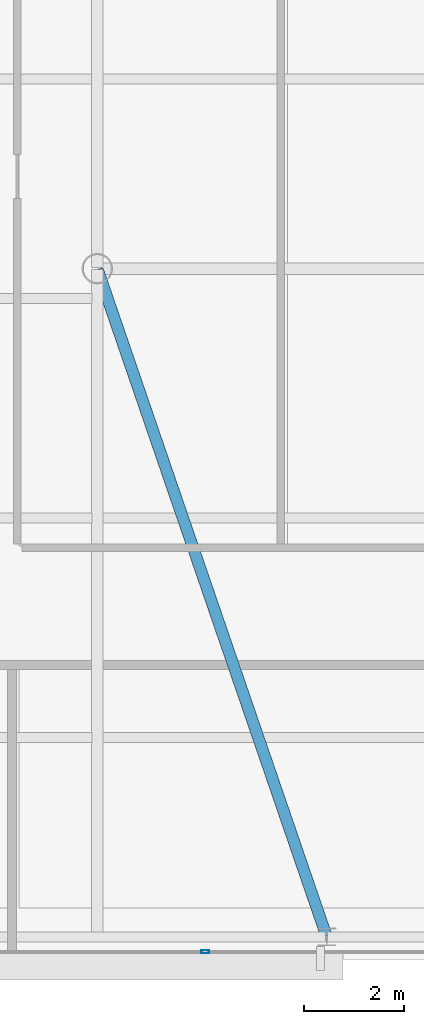
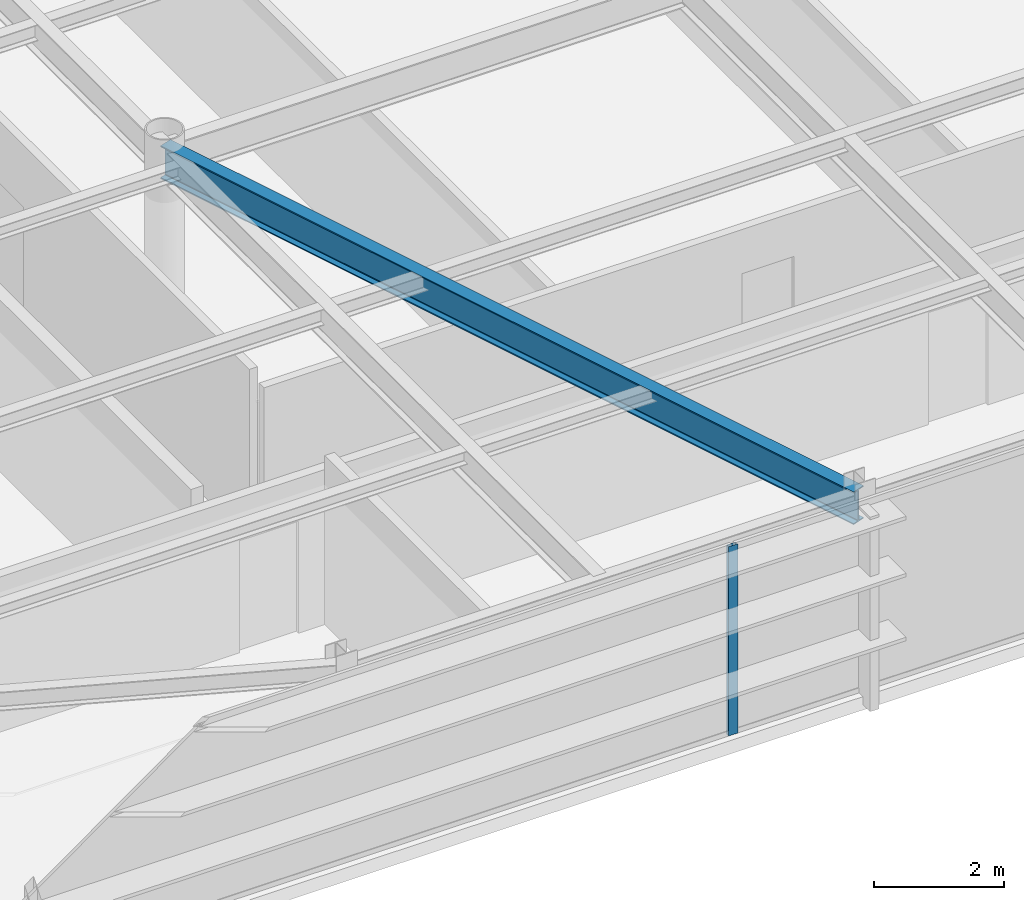
# One storey, part 6 of 25: 1 beam, 1 member, 1 element without a shape of its own.
"""IFC4 building model written with IfcOpenShell, lengths in metres."""

from ifc_helpers import new_model, si_unit, direction, frame, origin, origin_2d, place, context, subcontext, project, spatial, hollow_rectangle, i_section, extrude, source, transform, mapped, material, layer, layer_set, material_profile, profile_set, type_object, type_shapes, element, aggregate, save


model = new_model("IFC4")

# Units and contexts
model_context = context("Model", 3, precision=1e-05, world=origin(), true_north=direction((0.0, 1.0)))
body_context = subcontext(model_context, "Body", "Model", "MODEL_VIEW")
ifc_project = project(units=[si_unit("LENGTHUNIT", "METRE"), si_unit("AREAUNIT", "SQUARE_METRE"), si_unit("VOLUMEUNIT", "CUBIC_METRE"), si_unit("PLANEANGLEUNIT", "RADIAN"), si_unit("MASSUNIT", "GRAM", prefix="KILO")], contexts=[model_context])

# Site, building, storey
site_placement = place(None, origin())
site = spatial("IfcSite", under=ifc_project, at=site_placement, CompositionType="ELEMENT")
building_placement = place(site_placement, origin())
building = spatial("IfcBuilding", under=site, at=building_placement, Name="Varnel Quay Broadcast Tower", CompositionType="ELEMENT")
storey_placement = place(building_placement, frame((0.0, 0.0, 226.39990234375)))
storey = spatial("IfcBuildingStorey", under=building, at=storey_placement, Name="L56", CompositionType="ELEMENT", Elevation=226.39990234375)

# Beam
ifc_material_1 = material(Name="Structural Steel CSA G40.21 350W", Category="steel")
ifc_material_profile_1 = material_profile(ifc_material_1, i_section(OverallWidth=0.22998046875, OverallDepth=0.616943359375, WebThickness=0.01318359375, FlangeThickness=0.022216796875, FilletRadius=0.01611328125, at=origin_2d()), Name="W610X140")
ifc_profile_set_1 = profile_set([ifc_material_profile_1], Name="Structural Steel CSA G40.21 350W")
beam_type = type_object("IfcBeamType", Name="Girder_W610X140", PredefinedType="BEAM", material=ifc_profile_set_1)
shared_shape_1 = source(origin(), body_context, "Body", "SweptSolid", [
    extrude(i_section(OverallWidth=0.22998046875, OverallDepth=0.616943359375, WebThickness=0.01318359375, FlangeThickness=0.022216796875, FilletRadius=0.01611328125, at=origin_2d()), origin(), (0.0, 0.0, 1.0), 14.12744140625),
])
type_shapes(beam_type, [shared_shape_1])
beam_placement = place(storey_placement, frame((29.3935546875, 10.6689453125, 3.24169921875), z_axis=(-0.324696747868, 0.945818175932, 0.0), x_axis=(-0.945818175932, -0.324696747868, 0.0)))
element("IfcBeam", 1, at=beam_placement, inside=storey, type_object=beam_type, Name="L56 Primary Girder TC-S2-IC-01", PredefinedType="BEAM", context=body_context, shape_type="MappedRepresentation", body=[
    mapped(shared_shape_1, transform((0.0, 0.0, 0.0), x_axis=(1.0, 0.0, 0.0), y_axis=(0.0, 1.0, 0.0), z_axis=(0.0, 0.0, 1.0), scale=1.0)),
])

# Curtain wall, member
ifc_material_2 = material(Name="Anodised Bronze Aluminium 6063-T6", Category="aluminium")
ifc_layer = layer(ifc_material_2, 0.18994140625, Name="Anodised Bronze Aluminium 6063-T6")
ifc_layer_set = layer_set([ifc_layer], Name="Anodised Bronze Aluminium 6063-T6")
curtain_wall_type = type_object("IfcCurtainWallType", Name="CW_UpperTower", PredefinedType="NOTDEFINED", material=ifc_layer_set)
curtain_wall_placement = place(storey_placement, origin())
curtain_wall = element("IfcCurtainWall", 2, at=curtain_wall_placement, inside=storey, type_object=curtain_wall_type, Name="L56 South Unitised Curtain Wall 1", PredefinedType="NOTDEFINED")
ifc_material_profile_2 = material_profile(ifc_material_2, hollow_rectangle(XDim=0.06494140625, YDim=0.1650390625, WallThickness=0.00341796875, at=origin_2d()), Name="ALU65X165X3.5")
ifc_profile_set_2 = profile_set([ifc_material_profile_2], Name="Anodised Bronze Aluminium 6063-T6")
member_type = type_object("IfcMemberType", Name="Mull_CWS-03", PredefinedType="MULLION", material=ifc_profile_set_2)
shared_shape_2 = source(origin(), body_context, "Body", "SweptSolid", [
    extrude(hollow_rectangle(XDim=0.06494140625, YDim=0.1650390625, WallThickness=0.00341796875, at=origin_2d()), origin(), (0.0, 0.0, 1.0), 3.550048828125),
])
type_shapes(member_type, [shared_shape_2])
member_placement = place(storey_placement, frame((26.966552734375, 10.35009765625, 0.0), z_axis=(0.0, 0.0, 1.0), x_axis=(0.0, 1.0, 0.0)))
member = element("IfcMember", 3, at=member_placement, type_object=member_type, Name="CWS-03 mullion 2", PredefinedType="MULLION", context=body_context, shape_type="MappedRepresentation", body=[
    mapped(shared_shape_2, transform((0.0, 0.0, 0.0), x_axis=(1.0, 0.0, 0.0), y_axis=(0.0, 1.0, 0.0), z_axis=(0.0, 0.0, 1.0), scale=1.0)),
])
aggregate(curtain_wall, [member])

save(model, "model.ifc")
